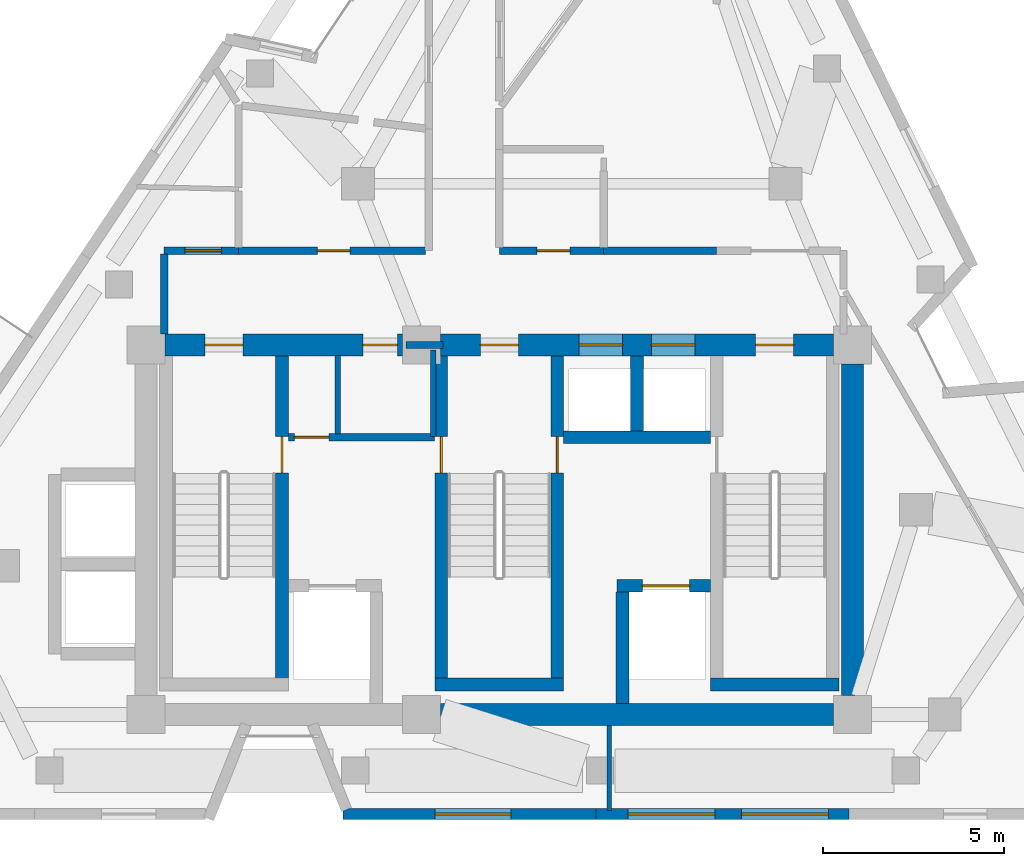
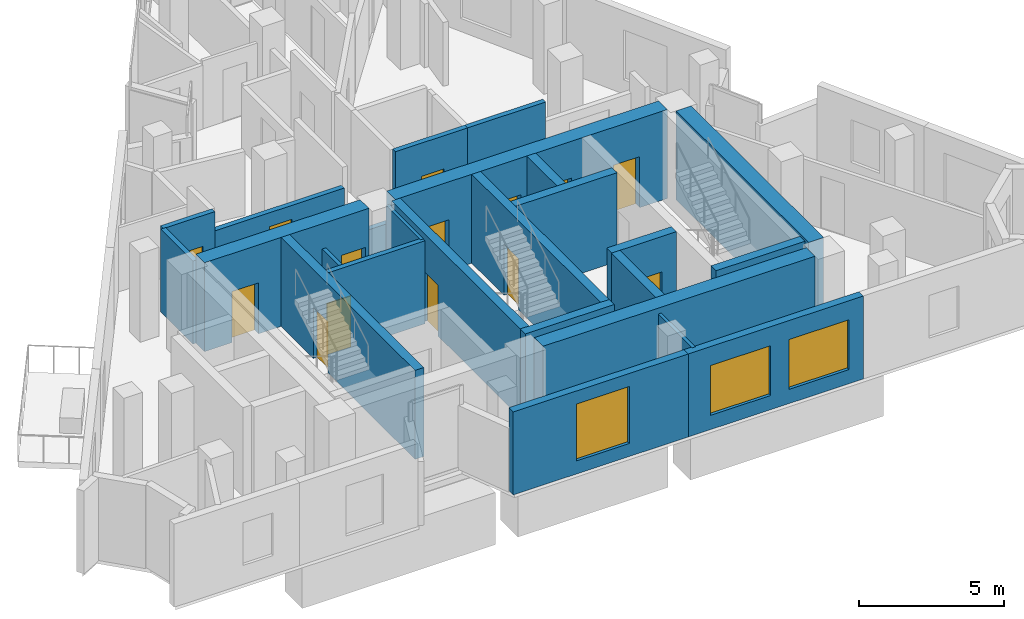
# One storey, part 5 of 10: 25 walls, 14 doors, 3 windows, 17 openings.
"""IFC4 building model written with IfcOpenShell, lengths in metres."""

import ifcopenshell
import ifcopenshell.guid

model = None  # the IFC model being written
_history = None  # IfcOwnerHistory: only IFC2X3 demands one
_inside = {}  # id of a spatial element -> (the spatial element, [elements in it])
_under = {}  # id of a project, library or spatial element -> (it, [spatial elements below it])
_declared = {}  # id of a project -> (the project, [libraries it declares])
_typed = {}  # id of a type object -> (the type object, [elements of that type])
_made_of = {}  # id of a material, layer set ... -> (it, [elements and type objects made of it])


def new_model(schema):
    """Start an empty IFC model of exactly this schema.

    Asked for "IFC4X3", IfcOpenShell would pick the latest addendum, in which some entities
    have other attributes; the version numbers below select the first issue.
    IFC2X3 requires an IfcOwnerHistory on every rooted entity: one is made here for all.
    """
    global model, _history
    if schema == "IFC4X3":
        model = ifcopenshell.file(schema_version=(4, 3, 0, 0))
    else:
        model = ifcopenshell.file(schema=schema)
    _inside.clear()
    _under.clear()
    _declared.clear()
    _typed.clear()
    _made_of.clear()
    _history = None
    if model.schema == "IFC2X3":
        org = make("IfcOrganization", Name="unknown")
        user = make(
            "IfcPersonAndOrganization",
            ThePerson=make("IfcPerson", FamilyName="unknown"),
            TheOrganization=org,
        )
        app = make(
            "IfcApplication",
            ApplicationDeveloper=org,
            Version="unknown",
            ApplicationFullName="unknown",
            ApplicationIdentifier="unknown",
        )
        _history = make(
            "IfcOwnerHistory",
            OwningUser=user,
            OwningApplication=app,
            ChangeAction="ADDED",
            CreationDate=0,
        )
    return model


def make(cls, **values):
    """One entity of the class cls with the attributes given. An attribute that is None is left unset."""
    return model.create_entity(
        cls, **{name: value for name, value in values.items() if value is not None}
    )


def rooted(cls, **values):
    """An entity with a GlobalId (a new one), such as an element, a storey or a relation."""
    return make(cls, GlobalId=ifcopenshell.guid.new(), OwnerHistory=_history, **values)


def si_unit(unit_type, name, prefix=None):
    """IfcSIUnit, for example si_unit("LENGTHUNIT", "METRE", prefix="MILLI")."""
    return make("IfcSIUnit", UnitType=unit_type, Prefix=prefix, Name=name)


def assignment(units):
    """IfcUnitAssignment: the units of a project."""
    return None if units is None else make("IfcUnitAssignment", Units=units)


def point(xyz):
    """IfcCartesianPoint."""
    return None if xyz is None else make("IfcCartesianPoint", Coordinates=xyz)


def direction(xyz):
    """IfcDirection."""
    return None if xyz is None else make("IfcDirection", DirectionRatios=xyz)


def frame(location, z_axis=None, x_axis=None):
    """IfcAxis2Placement3D, a coordinate frame: its origin and axes. An axis left out is left unset."""
    return make(
        "IfcAxis2Placement3D",
        Location=point(location),
        Axis=direction(z_axis),
        RefDirection=direction(x_axis),
    )


def frame_2d(location, x_axis=None):
    """IfcAxis2Placement2D, a coordinate frame in the plane: its origin and x axis."""
    return make(
        "IfcAxis2Placement2D", Location=point(location), RefDirection=direction(x_axis)
    )


def origin():
    """The frame at (0, 0, 0) with its axes left unset."""
    return frame((0.0, 0.0, 0.0))


def place(relative_to, where):
    """IfcLocalPlacement: puts the frame where relative to a parent placement (None: the world)."""
    return make(
        "IfcLocalPlacement", PlacementRelTo=relative_to, RelativePlacement=where
    )


def context(
    kind, dimensions, precision=None, world=None, true_north=None, identifier=None
):
    """IfcGeometricRepresentationContext, for example the 3D "Model" context."""
    return make(
        "IfcGeometricRepresentationContext",
        ContextIdentifier=identifier,
        ContextType=kind,
        CoordinateSpaceDimension=dimensions,
        Precision=precision,
        WorldCoordinateSystem=world,
        TrueNorth=true_north,
    )


def subcontext(parent, identifier, kind, view, scale=None):
    """IfcGeometricRepresentationSubContext, for example "Body" below "Model"."""
    return make(
        "IfcGeometricRepresentationSubContext",
        ContextIdentifier=identifier,
        ContextType=kind,
        ParentContext=parent,
        TargetScale=scale,
        TargetView=view,
    )


def project(units=None, contexts=None):
    """IfcProject with its units and contexts."""
    return rooted(
        "IfcProject",
        Name="project",
        RepresentationContexts=contexts,
        UnitsInContext=assignment(units),
    )


def spatial(cls, under=None, at=None, **own):
    """A site, building, storey or space (cls), placed at a placement, below another one or the project."""
    s = rooted(cls, ObjectPlacement=at, **own)
    if under is not None:
        _under.setdefault(under.id(), (under, []))[1].append(s)
    return s


def profile(cls, at=None, kind="AREA", **sizes):
    """A parametric profile (cls). Its sizes go by their IFC names, for example OverallWidth=200.0."""
    return make(cls, ProfileType=kind, Position=at, **sizes)


def rectangle(**sizes):
    """IfcRectangleProfileDef."""
    return profile("IfcRectangleProfileDef", **sizes)


def extrude(swept, where, along, depth):
    """IfcExtrudedAreaSolid: the profile swept, set in the frame where, extruded along a direction by depth."""
    return make(
        "IfcExtrudedAreaSolid",
        SweptArea=swept,
        Position=where,
        ExtrudedDirection=direction(along),
        Depth=depth,
    )


def shape(context_of_items, identifier, shape_type, items):
    """IfcShapeRepresentation: the items that make up one representation, for example the "Body"."""
    return make(
        "IfcShapeRepresentation",
        ContextOfItems=context_of_items,
        RepresentationIdentifier=identifier,
        RepresentationType=shape_type,
        Items=items,
    )


def material(Name=None, Category=None):
    """IfcMaterial."""
    return make("IfcMaterial", Name=Name, Category=Category)


def layer(
    of_material, thickness, ventilated=None, Name=None, Category=None, Priority=None
):
    """IfcMaterialLayer: one layer of a wall or slab, of a material (None: an air gap)."""
    return make(
        "IfcMaterialLayer",
        Material=of_material,
        LayerThickness=thickness,
        IsVentilated=ventilated,
        Name=Name,
        Category=Category,
        Priority=Priority,
    )


def layer_set(layers, Name=None):
    """IfcMaterialLayerSet."""
    return make("IfcMaterialLayerSet", MaterialLayers=layers, LayerSetName=Name)


def made_of(thing, what):
    """Note that an element or type object is made of a material, layer set ...; save() writes the relation."""
    if what is not None:
        _made_of.setdefault(what.id(), (what, []))[1].append(thing)
    return thing


def type_object(cls, material=None, **own):
    """A type object (cls), such as IfcWallType, which elements share."""
    return made_of(rooted(cls, **own), material)


def element(
    cls,
    number,
    at=None,
    inside=None,
    cuts=None,
    type_object=None,
    material=None,
    context=None,
    identifier="Body",
    shape_type=None,
    held_by="IfcProductDefinitionShape",
    body=None,
    shapes=None,
    **own,
):
    """One element of the class cls, such as IfcWall. Its Tag is "e" and its number.

    at: its placement. inside: the storey or other place that contains it. cuts: it is an
    opening in that element (IfcRelVoidsElement). A single representation is given by context,
    identifier, shape_type and body (its items); several are given by shapes. held_by: the class
    of the entity that holds the representations. save() writes the other relations.
    """
    e = rooted(cls, Tag="e%d" % number, ObjectPlacement=at, **own)
    if body is not None:
        shapes = [shape(context, identifier, shape_type, body)]
    if shapes is not None:
        e.Representation = make(held_by, Representations=shapes)
    if inside is not None:
        _inside.setdefault(inside.id(), (inside, []))[1].append(e)
    if cuts is not None:
        rooted(
            "IfcRelVoidsElement", RelatingBuildingElement=cuts, RelatedOpeningElement=e
        )
    if type_object is not None:
        _typed.setdefault(type_object.id(), (type_object, []))[1].append(e)
    return made_of(e, material)


def fill(opening, filler):
    """IfcRelFillsElement: the door or window that sits in an opening."""
    return rooted(
        "IfcRelFillsElement",
        RelatingOpeningElement=opening,
        RelatedBuildingElement=filler,
    )


def aggregate(whole, parts):
    """IfcRelAggregates: a whole, such as a stair, and the parts it consists of."""
    return rooted("IfcRelAggregates", RelatingObject=whole, RelatedObjects=parts)


def save(model, path):
    """Write the relations noted so far, then the file.

    IfcRelAggregates (storeys below a building ...), IfcRelContainedInSpatialStructure (elements
    in a storey), IfcRelDefinesByType, IfcRelAssociatesMaterial and IfcRelDeclares: one each for
    every whole, place, type object, material and project.
    """
    for whole, parts in _under.values():
        aggregate(whole, parts)
    for where, things in _inside.values():
        rooted(
            "IfcRelContainedInSpatialStructure",
            RelatedElements=things,
            RelatingStructure=where,
        )
    for kind, things in _typed.values():
        rooted("IfcRelDefinesByType", RelatedObjects=things, RelatingType=kind)
    for what, things in _made_of.values():
        rooted("IfcRelAssociatesMaterial", RelatedObjects=things, RelatingMaterial=what)
    for by, libraries in _declared.values():
        rooted("IfcRelDeclares", RelatingContext=by, RelatedDefinitions=libraries)
    model.write(path)


model = new_model("IFC4")

# Units and contexts
model_context = context("Model", 3, precision=1e-05, world=origin(), true_north=direction((0.0, 1.0)))
body_context = subcontext(model_context, "Body", "Model", "MODEL_VIEW")
ifc_project = project(units=[si_unit("LENGTHUNIT", "METRE"), si_unit("AREAUNIT", "SQUARE_METRE"), si_unit("VOLUMEUNIT", "CUBIC_METRE"), si_unit("PLANEANGLEUNIT", "RADIAN"), si_unit("MASSUNIT", "GRAM", prefix="KILO")], contexts=[model_context])

# Site, building, storey
site_placement = place(None, origin())
site = spatial("IfcSite", under=ifc_project, at=site_placement, CompositionType="ELEMENT")
building_placement = place(site_placement, origin())
building = spatial("IfcBuilding", under=site, at=building_placement, Name="Almagre Mirador Tower", CompositionType="ELEMENT")
storey_placement = place(building_placement, frame((0.0, 0.0, 270.75)))
storey = spatial("IfcBuildingStorey", under=building, at=storey_placement, Name="L70", CompositionType="ELEMENT", Elevation=270.75)

# Wall, openings, windows
ifc_material_1 = material(Name="Precast concrete C50/60", Category="concrete")
ifc_layer_1 = layer(ifc_material_1, 0.300048828125)
ifc_layer_set_1 = layer_set([ifc_layer_1], Name="Precast concrete C50/60")
wall_type_1 = type_object("IfcWallType", Name="WAL-EXT-300", PredefinedType="SOLIDWALL", material=ifc_layer_set_1)
wall_1_placement = place(storey_placement, frame((46.9560546875, 1.800048828125, 0.0), z_axis=(0.0, 0.0, 1.0), x_axis=(-1.0, 0.0, 0.0)))
wall_1 = element("IfcWall", 1, at=wall_1_placement, inside=storey, type_object=wall_type_1, Name="L70 expressed almagre precast frame wall 20", PredefinedType="SOLIDWALL", context=body_context, shape_type="SweptSolid", body=[
    extrude(rectangle(XDim=6.984130859375, YDim=0.300048828125, at=frame_2d((3.4921875, 0.0))), origin(), (0.0, 0.0, 1.0), 3.5),
])
opening_1_placement = place(wall_1_placement, frame((3.699951171875, 0.0, 0.60009765625)))
opening_1 = element("IfcOpeningElement", 2, at=opening_1_placement, cuts=wall_1, Name="Opening WN-02", PredefinedType="OPENING", context=body_context, shape_type="SweptSolid", body=[
    extrude(rectangle(XDim=2.39990234375, YDim=2.10009765625, at=frame_2d((1.199951171875, 1.050048828125))), frame((0.0, 0.159902, 0.0), z_axis=(0.0, -1.0, 0.0), x_axis=(1.0, 0.0, 0.0)), (0.0, 0.0, 1.0), 0.320049),
])
opening_2_placement = place(wall_1_placement, frame((0.574951171875, 0.0, 0.60009765625)))
opening_2 = element("IfcOpeningElement", 3, at=opening_2_placement, cuts=wall_1, Name="Opening WN-02", PredefinedType="OPENING", context=body_context, shape_type="SweptSolid", body=[
    extrude(rectangle(XDim=2.39990234375, YDim=2.10009765625, at=frame_2d((1.199951171875, 1.050048828125))), frame((0.0, 0.159902, 0.0), z_axis=(0.0, -1.0, 0.0), x_axis=(1.0, 0.0, 0.0)), (0.0, 0.0, 1.0), 0.320049),
])
ifc_material_2 = material(Name="Dark solar-control laminated hurricane glass", Category="glass")
window_type_1 = type_object("IfcWindowType", Name="WIN-2400X2100", PartitioningType="TRIPLE_PANEL_VERTICAL", PredefinedType="WINDOW", material=ifc_material_2)
window_1_placement = place(opening_1_placement, origin())
window_1 = element("IfcWindow", 4, at=window_1_placement, inside=storey, type_object=window_type_1, Name="L70 recessed hurricane window L70-UB-KT", OverallHeight=2.10009765625, OverallWidth=2.39990234375, PartitioningType="SINGLE_PANEL", PredefinedType="WINDOW", context=body_context, shape_type="SweptSolid", body=[
    extrude(rectangle(XDim=2.39990234375, YDim=2.10009765625, at=frame_2d((1.199951171875, 1.050048828125))), frame((0.0, 0.030029296875, 0.0), z_axis=(0.0, -1.0, 0.0), x_axis=(1.0, 0.0, 0.0)), (0.0, 0.0, 1.0), 0.06005859375),
])
fill(opening_1, window_1)
window_2_placement = place(opening_2_placement, origin())
window_2 = element("IfcWindow", 5, at=window_2_placement, inside=storey, type_object=window_type_1, Name="L70 recessed hurricane window L70-UB-BT", OverallHeight=2.10009765625, OverallWidth=2.39990234375, PartitioningType="SINGLE_PANEL", PredefinedType="WINDOW", context=body_context, shape_type="SweptSolid", body=[
    extrude(rectangle(XDim=2.39990234375, YDim=2.10009765625, at=frame_2d((1.199951171875, 1.050048828125))), frame((0.0, 0.030029296875, 0.0), z_axis=(0.0, -1.0, 0.0), x_axis=(1.0, 0.0, 0.0)), (0.0, 0.0, 1.0), 0.06005859375),
])
fill(opening_2, window_2)

# Wall, opening, window
wall_2_placement = place(storey_placement, frame((39.971923828125, 1.800048828125, 0.0), z_axis=(0.0, 0.0, 1.0), x_axis=(-1.0, 0.0, 0.0)))
wall_2 = element("IfcWall", 6, at=wall_2_placement, inside=storey, type_object=wall_type_1, Name="L70 expressed almagre precast frame wall 21", PredefinedType="SOLIDWALL", context=body_context, shape_type="SweptSolid", body=[
    extrude(rectangle(XDim=6.98388671875, YDim=0.300048828125, at=frame_2d((3.491943359375, 0.0))), origin(), (0.0, 0.0, 1.0), 3.5),
])
opening_3_placement = place(wall_2_placement, frame((2.35009765625, 0.0, 0.550048828125)))
opening_3 = element("IfcOpeningElement", 7, at=opening_3_placement, cuts=wall_2, Name="Opening WN-05", PredefinedType="OPENING", context=body_context, shape_type="SweptSolid", body=[
    extrude(rectangle(XDim=2.10009765625, YDim=2.39990234375, at=frame_2d((1.050048828125, 1.199951171875))), frame((0.0, 0.159902, 0.0), z_axis=(0.0, -1.0, 0.0), x_axis=(1.0, 0.0, 0.0)), (0.0, 0.0, 1.0), 0.320049),
])
ifc_material_3 = material(Name="Dark solar-control laminated hurricane glass", Category="glass")
window_type_2 = type_object("IfcWindowType", Name="WIN-2100X2400", PartitioningType="DOUBLE_PANEL_VERTICAL", PredefinedType="WINDOW", material=ifc_material_3)
window_3_placement = place(opening_3_placement, origin())
window_3 = element("IfcWindow", 8, at=window_3_placement, inside=storey, type_object=window_type_2, Name="L70 recessed hurricane window L70-UB-ST", OverallHeight=2.39990234375, OverallWidth=2.10009765625, PartitioningType="SINGLE_PANEL", PredefinedType="WINDOW", context=body_context, shape_type="SweptSolid", body=[
    extrude(rectangle(XDim=2.10009765625, YDim=2.39990234375, at=frame_2d((1.050048828125, 1.199951171875))), frame((0.0, 0.030029296875, 0.0), z_axis=(0.0, -1.0, 0.0), x_axis=(1.0, 0.0, 0.0)), (0.0, 0.0, 1.0), 0.06005859375),
])
fill(opening_3, window_3)

# Walls
ifc_material_4 = material(Name="Gypsum acoustic stud partition", Category="other")
ifc_layer_2 = layer(ifc_material_4, 0.125)
ifc_layer_set_2 = layer_set([ifc_layer_2], Name="Gypsum acoustic stud partition")
wall_type_2 = type_object("IfcWallType", Name="WAL-PRT-125-UTL", PredefinedType="PARTITIONING", material=ifc_layer_set_2)
wall_3_placement = place(storey_placement, frame((40.340087890625, 1.89990234375, 0.0), z_axis=(0.0, 0.0, 1.0), x_axis=(0.0, 1.0, 0.0)))
element("IfcWall", 9, at=wall_3_placement, inside=storey, type_object=wall_type_2, Name="L70 interior partition 022", PredefinedType="PARTITIONING", context=body_context, shape_type="SweptSolid", body=[
    extrude(rectangle(XDim=2.35009765625, YDim=0.125, at=frame_2d((1.175048828125, 0.0))), origin(), (0.0, 0.0, 1.0), 3.5),
])
ifc_material_5 = material(Name="Gypsum acoustic stud partition", Category="other")
ifc_layer_3 = layer(ifc_material_5, 0.199951171875)
ifc_layer_set_3 = layer_set([ifc_layer_3], Name="Gypsum acoustic stud partition")
wall_type_3 = type_object("IfcWallType", Name="WAL-PRT-200-EI60", PredefinedType="PARTITIONING", material=ifc_layer_set_3)
wall_4_placement = place(storey_placement, frame((34.719970703125, 14.75, 0.0), z_axis=(0.0, 0.0, 1.0), x_axis=(1.0, 0.0, 0.0)))
element("IfcWall", 10, at=wall_4_placement, inside=storey, type_object=wall_type_3, Name="L70 core north closure wall", PredefinedType="PARTITIONING", context=body_context, shape_type="SweptSolid", body=[
    extrude(rectangle(XDim=1.030029296875, YDim=0.199951171875, at=frame_2d((0.51513671875, 0.0))), origin(), (0.0, 0.0, 1.0), 2.68505859375),
])

# Wall, opening, door
wall_5_placement = place(storey_placement, frame((31.47998046875, 12.199951171875, 0.0), z_axis=(0.0, 0.0, 1.0), x_axis=(1.0, 0.0, 0.0)))
wall_5 = element("IfcWall", 11, at=wall_5_placement, inside=storey, type_object=wall_type_3, Name="L70 FFL-1 north enclosure wall", PredefinedType="PARTITIONING", context=body_context, shape_type="SweptSolid", body=[
    extrude(rectangle(XDim=4.024658203125, YDim=0.199951171875, at=frame_2d((2.01220703125, 0.0))), origin(), (0.0, 0.0, 1.0), 3.5),
])
opening_4_placement = place(wall_5_placement, frame((0.1650390625, 0.0, 0.0)))
opening_4 = element("IfcOpeningElement", 12, at=opening_4_placement, cuts=wall_5, Name="Opening ID-02", PredefinedType="OPENING", context=body_context, shape_type="SweptSolid", body=[
    extrude(rectangle(XDim=0.949951171875, YDim=2.14990234375, at=frame_2d((0.47509765625, 1.074951171875))), frame((0.0, 0.110098, 0.0), z_axis=(0.0, -1.0, 0.0), x_axis=(1.0, 0.0, 0.0)), (0.0, 0.0, 1.0), 0.219951),
])
ifc_material_6 = material(Name="Fire-rated walnut timber", Category="wood")
door_type_1 = type_object("IfcDoorType", Name="DOR-FD60-950X2150", OperationType="NOTDEFINED", PredefinedType="DOOR", material=ifc_material_6)
door_1_placement = place(opening_4_placement, origin())
door_1 = element("IfcDoor", 13, at=door_1_placement, inside=storey, type_object=door_type_1, Name="DR-2118 L70 FFL-1 north smoke door", OperationType="SINGLE_SWING_RIGHT", OverallHeight=2.14990234375, OverallWidth=0.949951171875, PredefinedType="DOOR", context=body_context, shape_type="SweptSolid", body=[
    extrude(rectangle(XDim=0.949951171875, YDim=2.14990234375, at=frame_2d((0.47509765625, 1.074951171875))), frame((0.0, 0.02490234375, 0.0), z_axis=(0.0, -1.0, 0.0), x_axis=(1.0, 0.0, 0.0)), (0.0, 0.0, 1.0), 0.050048828125),
])
fill(opening_4, door_1)

# Walls
wall_6_placement = place(storey_placement, frame((32.840087890625, 12.284912109375, 0.0), z_axis=(0.0, 0.0, 1.0), x_axis=(0.0, 1.0, 0.0)))
element("IfcWall", 14, at=wall_6_placement, inside=storey, type_object=wall_type_3, Name="L70 core riser west wall", PredefinedType="PARTITIONING", context=body_context, shape_type="SweptSolid", body=[
    extrude(rectangle(XDim=2.18017578125, YDim=0.14990234375, at=frame_2d((1.090087890625, 0.0))), origin(), (0.0, 0.0, 1.0), 2.68505859375),
])
wall_7_placement = place(storey_placement, frame((35.47998046875, 12.219970703125, 0.0), z_axis=(0.0, 0.0, 1.0), x_axis=(0.0, 1.0, 0.0)))
element("IfcWall", 15, at=wall_7_placement, inside=storey, type_object=wall_type_3, Name="L70 core riser east wall", PredefinedType="PARTITIONING", context=body_context, shape_type="SweptSolid", body=[
    extrude(rectangle(XDim=2.396240234375, YDim=0.14990234375, at=frame_2d((1.1982421875, 0.0))), origin(), (0.0, 0.0, 1.0), 3.5),
])

# Wall, opening, door
wall_8_placement = place(storey_placement, frame((30.10009765625, 17.35009765625, 0.0), z_axis=(0.0, 0.0, 1.0), x_axis=(-1.0, 0.0, 0.0)))
wall_8 = element("IfcWall", 16, at=wall_8_placement, inside=storey, type_object=wall_type_3, Name="L70 interior partition 002", PredefinedType="PARTITIONING", context=body_context, shape_type="SweptSolid", body=[
    extrude(rectangle(XDim=2.050048828125, YDim=0.199951171875, at=frame_2d((1.02490234375, 0.0))), origin(), (0.0, 0.0, 1.0), 3.5),
])
opening_5_placement = place(wall_8_placement, frame((0.469970703125, 0.0, 0.0)))
opening_5 = element("IfcOpeningElement", 17, at=opening_5_placement, cuts=wall_8, Name="Opening ID-01", PredefinedType="OPENING", context=body_context, shape_type="SweptSolid", body=[
    extrude(rectangle(XDim=1.0, YDim=2.199951171875, at=frame_2d((0.5, 1.10009765625))), frame((0.0, 0.110098, 0.0), z_axis=(0.0, -1.0, 0.0), x_axis=(1.0, 0.0, 0.0)), (0.0, 0.0, 1.0), 0.219951),
])
ifc_material_7 = material(Name="Fire-rated walnut timber", Category="wood")
door_type_2 = type_object("IfcDoorType", Name="DOR-FD60-1000X2200", OperationType="NOTDEFINED", PredefinedType="DOOR", material=ifc_material_7)
door_2_placement = place(opening_5_placement, origin())
door_2 = element("IfcDoor", 18, at=door_2_placement, inside=storey, type_object=door_type_2, Name="DR-2126 L70 interior door L70-RCOR to L70-UD-ST", OperationType="SINGLE_SWING_RIGHT", OverallHeight=2.199951171875, OverallWidth=1.0, PredefinedType="DOOR", context=body_context, shape_type="SweptSolid", body=[
    extrude(rectangle(XDim=1.0, YDim=2.199951171875, at=frame_2d((0.5, 1.10009765625))), frame((0.0, 0.02490234375, 0.0), z_axis=(0.0, -1.0, 0.0), x_axis=(1.0, 0.0, 0.0)), (0.0, 0.0, 1.0), 0.050048828125),
])
fill(opening_5, door_2)

# Wall
wall_9_placement = place(storey_placement, frame((28.050048828125, 17.264892578125, 0.0), z_axis=(0.0, 0.0, 1.0), x_axis=(0.0, -1.0, 0.0)))
element("IfcWall", 19, at=wall_9_placement, inside=storey, type_object=wall_type_3, Name="L70 interior partition 003", PredefinedType="PARTITIONING", context=body_context, shape_type="SweptSolid", body=[
    extrude(rectangle(XDim=2.21484375, YDim=0.199951171875, at=frame_2d((1.107421875, 0.0))), origin(), (0.0, 0.0, 1.0), 3.5),
])

# Wall, opening, door
wall_10_placement = place(storey_placement, frame((35.264892578125, 17.35009765625, 0.0), z_axis=(0.0, 0.0, 1.0), x_axis=(-1.0, 0.0, 0.0)))
wall_10 = element("IfcWall", 20, at=wall_10_placement, inside=storey, type_object=wall_type_3, Name="L70 interior partition 005", PredefinedType="PARTITIONING", context=body_context, shape_type="SweptSolid", body=[
    extrude(rectangle(XDim=5.164794921875, YDim=0.199951171875, at=frame_2d((2.58251953125, 0.0))), origin(), (0.0, 0.0, 1.0), 2.68505859375),
])
opening_6_placement = place(wall_10_placement, frame((2.090087890625, 0.0, 0.0)))
opening_6 = element("IfcOpeningElement", 21, at=opening_6_placement, cuts=wall_10, Name="Opening ID-03", PredefinedType="OPENING", context=body_context, shape_type="SweptSolid", body=[
    extrude(rectangle(XDim=0.89990234375, YDim=2.10009765625, at=frame_2d((0.449951171875, 1.050048828125))), frame((0.0, 0.110098, 0.0), z_axis=(0.0, -1.0, 0.0), x_axis=(1.0, 0.0, 0.0)), (0.0, 0.0, 1.0), 0.219951),
])
ifc_material_8 = material(Name="Fire-rated hollow steel", Category="steel")
door_type_3 = type_object("IfcDoorType", Name="DOR-FD60-900X2100", OperationType="NOTDEFINED", PredefinedType="DOOR", material=ifc_material_8)
door_3_placement = place(opening_6_placement, origin())
door_3 = element("IfcDoor", 22, at=door_3_placement, inside=storey, type_object=door_type_3, Name="DR-2123 L70 interior door L70-RCOR to L70-RST-E", OperationType="SINGLE_SWING_LEFT", OverallHeight=2.10009765625, OverallWidth=0.89990234375, PredefinedType="DOOR", context=body_context, shape_type="SweptSolid", body=[
    extrude(rectangle(XDim=0.89990234375, YDim=2.10009765625, at=frame_2d((0.449951171875, 1.050048828125))), frame((0.0, 0.02490234375, 0.0), z_axis=(0.0, -1.0, 0.0), x_axis=(1.0, 0.0, 0.0)), (0.0, 0.0, 1.0), 0.050048828125),
])
fill(opening_6, door_3)

wall_11_placement = place(storey_placement, frame((40.179931640625, 17.35009765625, 0.0), z_axis=(0.0, 0.0, 1.0), x_axis=(-1.0, 0.0, 0.0)))
wall_11 = element("IfcWall", 23, at=wall_11_placement, inside=storey, type_object=wall_type_3, Name="L70 interior partition 010", PredefinedType="PARTITIONING", context=body_context, shape_type="SweptSolid", body=[
    extrude(rectangle(XDim=2.8798828125, YDim=0.199951171875, at=frame_2d((1.43994140625, 0.0))), origin(), (0.0, 0.0, 1.0), 3.5),
])
opening_7_placement = place(wall_11_placement, frame((0.933349609375, 0.0, 0.0)))
opening_7 = element("IfcOpeningElement", 24, at=opening_7_placement, cuts=wall_11, Name="Opening ID-03", PredefinedType="OPENING", context=body_context, shape_type="SweptSolid", body=[
    extrude(rectangle(XDim=0.89990234375, YDim=2.10009765625, at=frame_2d((0.449951171875, 1.050048828125))), frame((0.0, 0.110098, 0.0), z_axis=(0.0, -1.0, 0.0), x_axis=(1.0, 0.0, 0.0)), (0.0, 0.0, 1.0), 0.219951),
])
door_4_placement = place(opening_7_placement, origin())
door_4 = element("IfcDoor", 25, at=door_4_placement, inside=storey, type_object=door_type_3, Name="DR-2125 L70 interior door L70-RCOR to L70-UH-ST", OperationType="SINGLE_SWING_LEFT", OverallHeight=2.10009765625, OverallWidth=0.89990234375, PredefinedType="DOOR", context=body_context, shape_type="SweptSolid", body=[
    extrude(rectangle(XDim=0.89990234375, YDim=2.10009765625, at=frame_2d((0.449951171875, 1.050048828125))), frame((0.0, 0.02490234375, 0.0), z_axis=(0.0, -1.0, 0.0), x_axis=(1.0, 0.0, 0.0)), (0.0, 0.0, 1.0), 0.050048828125),
])
fill(opening_7, door_4)

# Wall
wall_12_placement = place(storey_placement, frame((43.2900390625, 17.35009765625, 0.0), z_axis=(0.0, 0.0, 1.0), x_axis=(-1.0, 0.0, 0.0)))
element("IfcWall", 26, at=wall_12_placement, inside=storey, type_object=wall_type_3, Name="L70 interior partition 013", PredefinedType="PARTITIONING", context=body_context, shape_type="SweptSolid", body=[
    extrude(rectangle(XDim=3.110107421875, YDim=0.199951171875, at=frame_2d((1.55517578125, 0.0))), origin(), (0.0, 0.0, 1.0), 3.5),
])

# Wall, opening, door
ifc_material_9 = material(Name="Concrete C60/75", Category="concrete")
ifc_layer_4 = layer(ifc_material_9, 0.35009765625)
ifc_layer_set_4 = layer_set([ifc_layer_4], Name="Concrete C60/75")
wall_type_4 = type_object("IfcWallType", Name="WAL-SHF-350", PredefinedType="SOLIDWALL", material=ifc_layer_set_4)
wall_13_placement = place(storey_placement, frame((31.300048828125, 5.199951171875, 0.0), z_axis=(0.0, 0.0, 1.0), x_axis=(0.0, 1.0, 0.0)))
wall_13 = element("IfcWall", 27, at=wall_13_placement, inside=storey, type_object=wall_type_4, Name="L70 shaft wall ST1-E", PredefinedType="SOLIDWALL", context=body_context, shape_type="SweptSolid", body=[
    extrude(rectangle(XDim=9.25, YDim=0.35009765625, at=frame_2d((4.625, 0.0))), origin(), (0.0, 0.0, 1.0), 3.75),
])
opening_8_placement = place(wall_13_placement, frame((6.02001953125, 0.0, 0.0)))
opening_8 = element("IfcOpeningElement", 28, at=opening_8_placement, cuts=wall_13, Name="Opening FD-01", PredefinedType="OPENING", context=body_context, shape_type="SweptSolid", body=[
    extrude(rectangle(XDim=1.0, YDim=2.14990234375, at=frame_2d((0.5, 1.074951171875))), frame((0.0, 0.185049, 0.0), z_axis=(0.0, -1.0, 0.0), x_axis=(1.0, 0.0, 0.0)), (0.0, 0.0, 1.0), 0.370098),
])
ifc_material_10 = material(Name="Fire-rated hollow steel", Category="steel")
door_type_4 = type_object("IfcDoorType", Name="DOR-FFL-1000X2150", OperationType="NOTDEFINED", PredefinedType="DOOR", material=ifc_material_10)
door_5_placement = place(opening_8_placement, origin())
door_5 = element("IfcDoor", 29, at=door_5_placement, inside=storey, type_object=door_type_4, Name="DR-2119 L70 FFL1-ST1 smokeproof door", OperationType="SINGLE_SWING_RIGHT", OverallHeight=2.14990234375, OverallWidth=1.0, PredefinedType="DOOR", context=body_context, shape_type="SweptSolid", body=[
    extrude(rectangle(XDim=1.0, YDim=2.14990234375, at=frame_2d((0.5, 1.074951171875))), frame((0.0, 0.02490234375, 0.0), z_axis=(0.0, -1.0, 0.0), x_axis=(1.0, 0.0, 0.0)), (0.0, 0.0, 1.0), 0.050048828125),
])
fill(opening_8, door_5)

wall_14_placement = place(storey_placement, frame((35.699951171875, 5.199951171875, 0.0), z_axis=(0.0, 0.0, 1.0), x_axis=(0.0, 1.0, 0.0)))
wall_14 = element("IfcWall", 30, at=wall_14_placement, inside=storey, type_object=wall_type_4, Name="L70 shaft wall ST2-W", PredefinedType="SOLIDWALL", context=body_context, shape_type="SweptSolid", body=[
    extrude(rectangle(XDim=9.25, YDim=0.35009765625, at=frame_2d((4.625, 0.0))), origin(), (0.0, 0.0, 1.0), 3.75),
])
opening_9_placement = place(wall_14_placement, frame((6.02001953125, 0.0, 0.0)))
opening_9 = element("IfcOpeningElement", 31, at=opening_9_placement, cuts=wall_14, Name="Opening FD-01", PredefinedType="OPENING", context=body_context, shape_type="SweptSolid", body=[
    extrude(rectangle(XDim=1.0, YDim=2.14990234375, at=frame_2d((0.5, 1.074951171875))), frame((0.0, 0.185049, 0.0), z_axis=(0.0, -1.0, 0.0), x_axis=(1.0, 0.0, 0.0)), (0.0, 0.0, 1.0), 0.370098),
])
door_6_placement = place(opening_9_placement, origin())
door_6 = element("IfcDoor", 32, at=door_6_placement, inside=storey, type_object=door_type_4, Name="DR-2120 L70 FFL1-ST2 smokeproof door", OperationType="SINGLE_SWING_LEFT", OverallHeight=2.14990234375, OverallWidth=1.0, PredefinedType="DOOR", context=body_context, shape_type="SweptSolid", body=[
    extrude(rectangle(XDim=1.0, YDim=2.14990234375, at=frame_2d((0.5, 1.074951171875))), frame((0.0, 0.02490234375, 0.0), z_axis=(0.0, -1.0, 0.0), x_axis=(1.0, 0.0, 0.0)), (0.0, 0.0, 1.0), 0.050048828125),
])
fill(opening_9, door_6)

wall_15_placement = place(storey_placement, frame((38.89990234375, 5.199951171875, 0.0), z_axis=(0.0, 0.0, 1.0), x_axis=(0.0, 1.0, 0.0)))
wall_15 = element("IfcWall", 33, at=wall_15_placement, inside=storey, type_object=wall_type_4, Name="L70 shaft wall ST2-E", PredefinedType="SOLIDWALL", context=body_context, shape_type="SweptSolid", body=[
    extrude(rectangle(XDim=9.25, YDim=0.35009765625, at=frame_2d((4.625, 0.0))), origin(), (0.0, 0.0, 1.0), 3.75),
])
opening_10_placement = place(wall_15_placement, frame((6.02001953125, 0.0, 0.0)))
opening_10 = element("IfcOpeningElement", 34, at=opening_10_placement, cuts=wall_15, Name="Opening FD-01", PredefinedType="OPENING", context=body_context, shape_type="SweptSolid", body=[
    extrude(rectangle(XDim=1.0, YDim=2.14990234375, at=frame_2d((0.5, 1.074951171875))), frame((0.0, 0.185049, 0.0), z_axis=(0.0, -1.0, 0.0), x_axis=(1.0, 0.0, 0.0)), (0.0, 0.0, 1.0), 0.370098),
])
door_7_placement = place(opening_10_placement, origin())
door_7 = element("IfcDoor", 35, at=door_7_placement, inside=storey, type_object=door_type_4, Name="DR-2121 L70 FFL2-ST2 smokeproof door", OperationType="SINGLE_SWING_RIGHT", OverallHeight=2.14990234375, OverallWidth=1.0, PredefinedType="DOOR", context=body_context, shape_type="SweptSolid", body=[
    extrude(rectangle(XDim=1.0, YDim=2.14990234375, at=frame_2d((0.5, 1.074951171875))), frame((0.0, 0.02490234375, 0.0), z_axis=(0.0, -1.0, 0.0), x_axis=(1.0, 0.0, 0.0)), (0.0, 0.0, 1.0), 0.050048828125),
])
fill(opening_10, door_7)

# Walls
for number, where, z_axis, x_axis, name in (
    (36, (35.52490234375, 5.375, 0.0), (0.0, 0.0, 1.0), (1.0, 0.0, 0.0), "L70 shaft wall ST2-S"),
    (37, (43.125, 5.375, 0.0), (0.0, 0.0, 1.0), (1.0, 0.0, 0.0), "L70 shaft wall ST3-S"),
):
    element("IfcWall", number, at=place(storey_placement, frame(where, z_axis=z_axis, x_axis=x_axis)), inside=storey, type_object=wall_type_4, Name=name, PredefinedType="SOLIDWALL", context=body_context, shape_type="SweptSolid", body=[
        extrude(rectangle(XDim=3.550048828125, YDim=0.35009765625, at=frame_2d((1.77490234375, 0.0))), origin(), (0.0, 0.0, 1.0), 3.75),
    ])

# Wall, opening, door
wall_16_placement = place(storey_placement, frame((40.550048828125, 8.10009765625, 0.0), z_axis=(0.0, 0.0, 1.0), x_axis=(1.0, 0.0, 0.0)))
wall_16 = element("IfcWall", 38, at=wall_16_placement, inside=storey, type_object=wall_type_4, Name="L70 shaft wall FSAE2-N", PredefinedType="SOLIDWALL", context=body_context, shape_type="SweptSolid", body=[
    extrude(rectangle(XDim=2.574951171875, YDim=0.35009765625, at=frame_2d((1.28759765625, 0.0))), origin(), (0.0, 0.0, 1.0), 3.75),
])
opening_11_placement = place(wall_16_placement, frame((0.699951171875, 0.0, 0.0)))
opening_11 = element("IfcOpeningElement", 39, at=opening_11_placement, cuts=wall_16, Name="Opening LD-03", PredefinedType="OPENING", context=body_context, shape_type="SweptSolid", body=[
    extrude(rectangle(XDim=1.300048828125, YDim=2.25, at=frame_2d((0.64990234375, 1.125))), frame((0.0, 0.185049, 0.0), z_axis=(0.0, -1.0, 0.0), x_axis=(1.0, 0.0, 0.0)), (0.0, 0.0, 1.0), 0.370098),
])
ifc_material_11 = material(Name="Hollow stainless steel", Category="steel")
door_type_5 = type_object("IfcDoorType", Name="DOR-LD-1300X2250", OperationType="DOUBLE_DOOR_SLIDING", PredefinedType="DOOR", material=ifc_material_11)
door_8_placement = place(opening_11_placement, origin())
door_8 = element("IfcDoor", 40, at=door_8_placement, inside=storey, type_object=door_type_5, Name="DR-2138 L70 FSAE-2 lift landing door", OperationType="DOUBLE_DOOR_SLIDING", OverallHeight=2.25, OverallWidth=1.300048828125, PredefinedType="DOOR", context=body_context, shape_type="SweptSolid", body=[
    extrude(rectangle(XDim=1.300048828125, YDim=2.25, at=frame_2d((0.64990234375, 1.125))), frame((0.0, 0.02490234375, 0.0), z_axis=(0.0, -1.0, 0.0), x_axis=(1.0, 0.0, 0.0)), (0.0, 0.0, 1.0), 0.050048828125),
])
fill(opening_11, door_8)

# Walls
wall_17_placement = place(storey_placement, frame((40.699951171875, 4.85009765625, 0.0), z_axis=(0.0, 0.0, 1.0), x_axis=(0.0, 1.0, 0.0)))
element("IfcWall", 41, at=wall_17_placement, inside=storey, type_object=wall_type_4, Name="L70 shaft wall FSAE2-W", PredefinedType="SOLIDWALL", context=body_context, shape_type="SweptSolid", body=[
    extrude(rectangle(XDim=3.074951171875, YDim=0.35009765625, at=frame_2d((1.53759765625, 0.0))), origin(), (0.0, 0.0, 1.0), 3.75),
])
wall_18_placement = place(storey_placement, frame((39.074951171875, 12.199951171875, 0.0), z_axis=(0.0, 0.0, 1.0), x_axis=(1.0, 0.0, 0.0)))
element("IfcWall", 42, at=wall_18_placement, inside=storey, type_object=wall_type_4, Name="L70 shaft wall PLH-S", PredefinedType="SOLIDWALL", context=body_context, shape_type="SweptSolid", body=[
    extrude(rectangle(XDim=4.050048828125, YDim=0.35009765625, at=frame_2d((2.02490234375, 0.0))), origin(), (0.0, 0.0, 1.0), 3.75),
])
wall_19_placement = place(storey_placement, frame((41.10009765625, 12.375, 0.0), z_axis=(0.0, 0.0, 1.0), x_axis=(0.0, 1.0, 0.0)))
element("IfcWall", 43, at=wall_19_placement, inside=storey, type_object=wall_type_4, Name="L70 shaft wall PLH-M", PredefinedType="SOLIDWALL", context=body_context, shape_type="SweptSolid", body=[
    extrude(rectangle(XDim=2.074951171875, YDim=0.35009765625, at=frame_2d((1.03759765625, 0.0))), origin(), (0.0, 0.0, 1.0), 3.75),
])
ifc_material_12 = material(Name="Concrete C60/75", Category="concrete")
ifc_layer_5 = layer(ifc_material_12, 0.60009765625)
ifc_layer_set_5 = layer_set([ifc_layer_5], Name="Concrete C60/75")
wall_type_5 = type_object("IfcWallType", Name="WAL-SHR-600", PredefinedType="SHEAR", material=ifc_layer_set_5)
wall_20_placement = place(storey_placement, frame((35.675048828125, 4.550048828125, 0.0), z_axis=(0.0, 0.0, 1.0), x_axis=(1.0, 0.0, 0.0)))
element("IfcWall", 44, at=wall_20_placement, inside=storey, type_object=wall_type_5, Name="L70 core shear wall S2", PredefinedType="SHEAR", context=body_context, shape_type="SweptSolid", body=[
    extrude(rectangle(XDim=10.849853515625, YDim=0.60009765625, at=frame_2d((5.4248046875, 0.0))), origin(), (0.0, 0.0, 1.0), 3.75),
])

# Wall, openings, doors
wall_21_placement = place(storey_placement, frame((28.074951171875, 14.75, 0.0), z_axis=(0.0, 0.0, 1.0), x_axis=(1.0, 0.0, 0.0)))
wall_21 = element("IfcWall", 45, at=wall_21_placement, inside=storey, type_object=wall_type_5, Name="L70 core shear wall N1", PredefinedType="SHEAR", context=body_context, shape_type="SweptSolid", body=[
    extrude(rectangle(XDim=6.550048828125, YDim=0.60009765625, at=frame_2d((3.27490234375, 0.0))), origin(), (0.0, 0.0, 1.0), 3.75),
])
opening_12_placement = place(wall_21_placement, frame((1.10009765625, 0.0, 0.0)))
opening_12 = element("IfcOpeningElement", 46, at=opening_12_placement, cuts=wall_21, Name="Opening SD-01", PredefinedType="OPENING", context=body_context, shape_type="SweptSolid", body=[
    extrude(rectangle(XDim=1.050048828125, YDim=2.14990234375, at=frame_2d((0.52490234375, 1.074951171875))), frame((0.0, 0.310049, 0.0), z_axis=(0.0, -1.0, 0.0), x_axis=(1.0, 0.0, 0.0)), (0.0, 0.0, 1.0), 0.620098),
])
opening_13_placement = place(wall_21_placement, frame((5.4599609375, 0.0, 0.0)))
opening_13 = element("IfcOpeningElement", 47, at=opening_13_placement, cuts=wall_21, Name="Opening FD-02", PredefinedType="OPENING", context=body_context, shape_type="SweptSolid", body=[
    extrude(rectangle(XDim=0.949951171875, YDim=2.14990234375, at=frame_2d((0.47509765625, 1.074951171875))), frame((0.0, 0.310049, 0.0), z_axis=(0.0, -1.0, 0.0), x_axis=(1.0, 0.0, 0.0)), (0.0, 0.0, 1.0), 0.620098),
])
ifc_material_13 = material(Name="Fire-rated hollow steel", Category="steel")
door_type_6 = type_object("IfcDoorType", Name="DOR-FD90-950X2150", OperationType="NOTDEFINED", PredefinedType="DOOR", material=ifc_material_13)
door_9_placement = place(opening_13_placement, origin())
door_9 = element("IfcDoor", 48, at=door_9_placement, inside=storey, type_object=door_type_6, Name="DR-2117 L70 core equipment room north door", OperationType="SINGLE_SWING_LEFT", OverallHeight=2.14990234375, OverallWidth=0.949951171875, PredefinedType="DOOR", context=body_context, shape_type="SweptSolid", body=[
    extrude(rectangle(XDim=0.949951171875, YDim=2.14990234375, at=frame_2d((0.47509765625, 1.074951171875))), frame((0.0, 0.02490234375, 0.0), z_axis=(0.0, -1.0, 0.0), x_axis=(1.0, 0.0, 0.0)), (0.0, 0.0, 1.0), 0.050048828125),
])
fill(opening_13, door_9)
ifc_material_14 = material(Name="Fire-rated hollow steel", Category="steel")
door_type_7 = type_object("IfcDoorType", Name="DOR-ST-1050X2150", OperationType="NOTDEFINED", PredefinedType="DOOR", material=ifc_material_14)
door_10_placement = place(opening_12_placement, origin())
door_10 = element("IfcDoor", 49, at=door_10_placement, inside=storey, type_object=door_type_7, Name="DR-2141 L70 protected exit stair ST-1 door", OperationType="SINGLE_SWING_LEFT", OverallHeight=2.14990234375, OverallWidth=1.050048828125, PredefinedType="DOOR", context=body_context, shape_type="SweptSolid", body=[
    extrude(rectangle(XDim=1.050048828125, YDim=2.14990234375, at=frame_2d((0.52490234375, 1.074951171875))), frame((0.0, 0.02490234375, 0.0), z_axis=(0.0, -1.0, 0.0), x_axis=(1.0, 0.0, 0.0)), (0.0, 0.0, 1.0), 0.050048828125),
])
fill(opening_12, door_10)

wall_22_placement = place(storey_placement, frame((35.675048828125, 14.75, 0.0), z_axis=(0.0, 0.0, 1.0), x_axis=(1.0, 0.0, 0.0)))
wall_22 = element("IfcWall", 50, at=wall_22_placement, inside=storey, type_object=wall_type_5, Name="L70 core shear wall N2", PredefinedType="SHEAR", context=body_context, shape_type="SweptSolid", body=[
    extrude(rectangle(XDim=10.849853515625, YDim=0.60009765625, at=frame_2d((5.4248046875, 0.0))), origin(), (0.0, 0.0, 1.0), 3.75),
])
opening_14_placement = place(wall_22_placement, frame((1.10009765625, 0.0, 0.0)))
opening_14 = element("IfcOpeningElement", 51, at=opening_14_placement, cuts=wall_22, Name="Opening SD-01", PredefinedType="OPENING", context=body_context, shape_type="SweptSolid", body=[
    extrude(rectangle(XDim=1.050048828125, YDim=2.14990234375, at=frame_2d((0.52490234375, 1.074951171875))), frame((0.0, 0.310049, 0.0), z_axis=(0.0, -1.0, 0.0), x_axis=(1.0, 0.0, 0.0)), (0.0, 0.0, 1.0), 0.620098),
])
opening_15_placement = place(wall_22_placement, frame((8.699951171875, 0.0, 0.0)))
opening_15 = element("IfcOpeningElement", 52, at=opening_15_placement, cuts=wall_22, Name="Opening SD-01", PredefinedType="OPENING", context=body_context, shape_type="SweptSolid", body=[
    extrude(rectangle(XDim=1.050048828125, YDim=2.14990234375, at=frame_2d((0.52490234375, 1.074951171875))), frame((0.0, 0.310049, 0.0), z_axis=(0.0, -1.0, 0.0), x_axis=(1.0, 0.0, 0.0)), (0.0, 0.0, 1.0), 0.620098),
])
opening_16_placement = place(wall_22_placement, frame((3.824951171875, 0.0, 0.0)))
opening_16 = element("IfcOpeningElement", 53, at=opening_16_placement, cuts=wall_22, Name="Opening LD-02", PredefinedType="OPENING", context=body_context, shape_type="SweptSolid", body=[
    extrude(rectangle(XDim=1.199951171875, YDim=2.199951171875, at=frame_2d((0.60009765625, 1.10009765625))), frame((0.0, 0.310049, 0.0), z_axis=(0.0, -1.0, 0.0), x_axis=(1.0, 0.0, 0.0)), (0.0, 0.0, 1.0), 0.620098),
])
opening_17_placement = place(wall_22_placement, frame((5.824951171875, 0.0, 0.0)))
opening_17 = element("IfcOpeningElement", 54, at=opening_17_placement, cuts=wall_22, Name="Opening LD-02", PredefinedType="OPENING", context=body_context, shape_type="SweptSolid", body=[
    extrude(rectangle(XDim=1.199951171875, YDim=2.199951171875, at=frame_2d((0.60009765625, 1.10009765625))), frame((0.0, 0.310049, 0.0), z_axis=(0.0, -1.0, 0.0), x_axis=(1.0, 0.0, 0.0)), (0.0, 0.0, 1.0), 0.620098),
])
ifc_material_15 = material(Name="Hollow stainless steel", Category="steel")
door_type_8 = type_object("IfcDoorType", Name="DOR-LD-1200X2200", OperationType="DOUBLE_DOOR_SLIDING", PredefinedType="DOOR", material=ifc_material_15)
door_11_placement = place(opening_16_placement, origin())
door_11 = element("IfcDoor", 55, at=door_11_placement, inside=storey, type_object=door_type_8, Name="DR-2139 L70 PL-H1 lift landing door", OperationType="DOUBLE_DOOR_SLIDING", OverallHeight=2.199951171875, OverallWidth=1.199951171875, PredefinedType="DOOR", context=body_context, shape_type="SweptSolid", body=[
    extrude(rectangle(XDim=1.199951171875, YDim=2.199951171875, at=frame_2d((0.60009765625, 1.10009765625))), frame((0.0, 0.02490234375, 0.0), z_axis=(0.0, -1.0, 0.0), x_axis=(1.0, 0.0, 0.0)), (0.0, 0.0, 1.0), 0.050048828125),
])
fill(opening_16, door_11)
door_12_placement = place(opening_17_placement, origin())
door_12 = element("IfcDoor", 56, at=door_12_placement, inside=storey, type_object=door_type_8, Name="DR-2140 L70 PL-H2 lift landing door", OperationType="DOUBLE_DOOR_SLIDING", OverallHeight=2.199951171875, OverallWidth=1.199951171875, PredefinedType="DOOR", context=body_context, shape_type="SweptSolid", body=[
    extrude(rectangle(XDim=1.199951171875, YDim=2.199951171875, at=frame_2d((0.60009765625, 1.10009765625))), frame((0.0, 0.02490234375, 0.0), z_axis=(0.0, -1.0, 0.0), x_axis=(1.0, 0.0, 0.0)), (0.0, 0.0, 1.0), 0.050048828125),
])
fill(opening_17, door_12)
door_13_placement = place(opening_14_placement, origin())
door_13 = element("IfcDoor", 57, at=door_13_placement, inside=storey, type_object=door_type_7, Name="DR-2142 L70 protected exit stair ST-2 door", OperationType="SINGLE_SWING_RIGHT", OverallHeight=2.14990234375, OverallWidth=1.050048828125, PredefinedType="DOOR", context=body_context, shape_type="SweptSolid", body=[
    extrude(rectangle(XDim=1.050048828125, YDim=2.14990234375, at=frame_2d((0.52490234375, 1.074951171875))), frame((0.0, 0.02490234375, 0.0), z_axis=(0.0, -1.0, 0.0), x_axis=(1.0, 0.0, 0.0)), (0.0, 0.0, 1.0), 0.050048828125),
])
fill(opening_14, door_13)
door_14_placement = place(opening_15_placement, origin())
door_14 = element("IfcDoor", 58, at=door_14_placement, inside=storey, type_object=door_type_7, Name="DR-2143 L70 protected exit stair ST-3 door", OperationType="SINGLE_SWING_LEFT", OverallHeight=2.14990234375, OverallWidth=1.050048828125, PredefinedType="DOOR", context=body_context, shape_type="SweptSolid", body=[
    extrude(rectangle(XDim=1.050048828125, YDim=2.14990234375, at=frame_2d((0.52490234375, 1.074951171875))), frame((0.0, 0.02490234375, 0.0), z_axis=(0.0, -1.0, 0.0), x_axis=(1.0, 0.0, 0.0)), (0.0, 0.0, 1.0), 0.050048828125),
])
fill(opening_15, door_14)

# Wall
wall_23_placement = place(storey_placement, frame((47.050048828125, 5.074951171875, 0.0), z_axis=(0.0, 0.0, 1.0), x_axis=(0.0, 1.0, 0.0)))
element("IfcWall", 59, at=wall_23_placement, inside=storey, type_object=wall_type_5, Name="L70 core shear wall E1", PredefinedType="SHEAR", context=body_context, shape_type="SweptSolid", body=[
    extrude(rectangle(XDim=9.150146484375, YDim=0.60009765625, at=frame_2d((4.5751953125, 0.0))), origin(), (0.0, 0.0, 1.0), 3.75),
])

save(model, "model.ifc")
